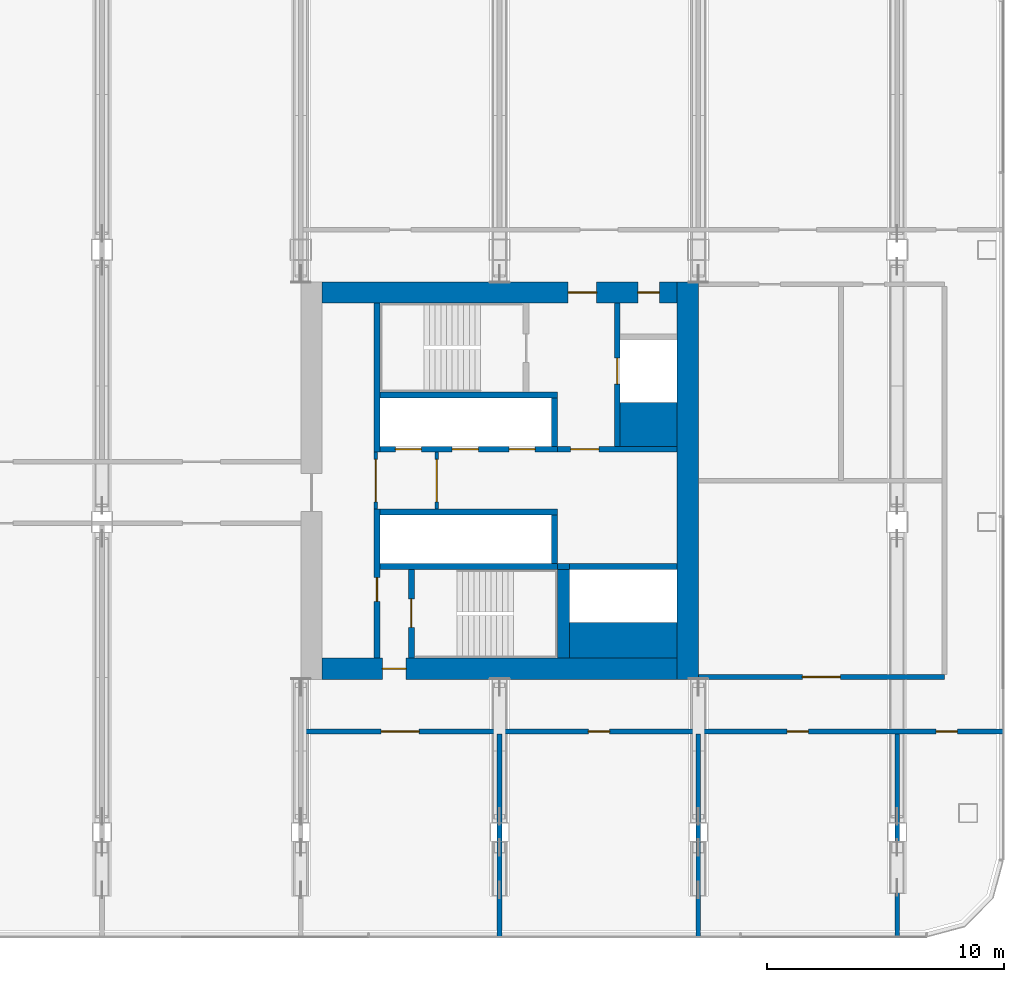
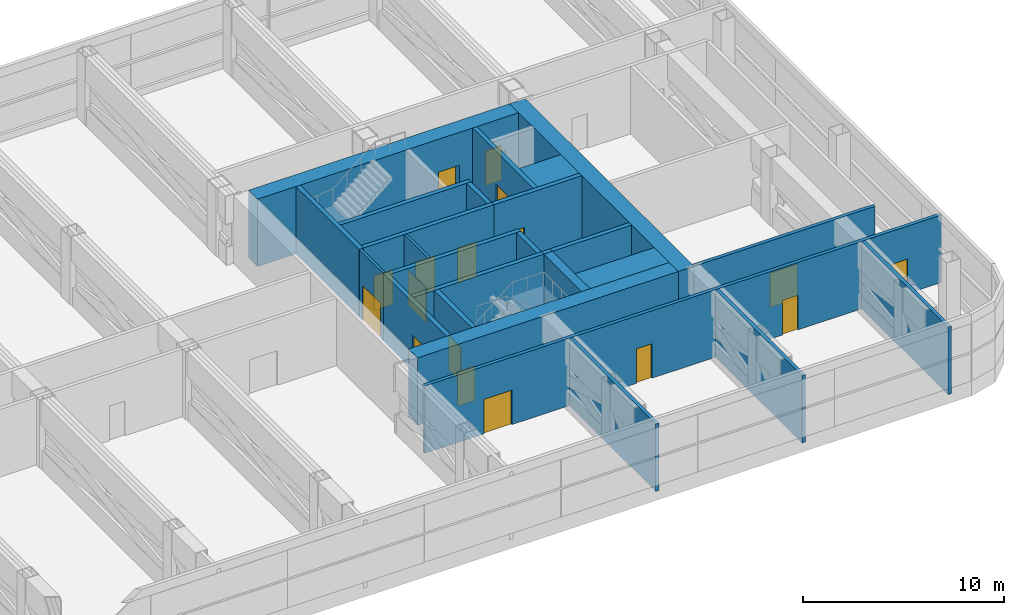
# One storey, part 20 of 31: 26 walls, 17 doors, 17 openings.
"""IFC4 building model written with IfcOpenShell, lengths in metres."""

from ifc_helpers import new_model, si_unit, direction, frame, frame_2d, origin, place, context, subcontext, project, spatial, rectangle, extrude, material, layer, layer_set, type_object, element, fill, save


model = new_model("IFC4")

# Units and contexts
model_context = context("Model", 3, precision=1e-05, world=origin(), true_north=direction((0.0, 1.0)))
body_context = subcontext(model_context, "Body", "Model", "MODEL_VIEW")
ifc_project = project(units=[si_unit("LENGTHUNIT", "METRE"), si_unit("AREAUNIT", "SQUARE_METRE"), si_unit("VOLUMEUNIT", "CUBIC_METRE"), si_unit("PLANEANGLEUNIT", "RADIAN"), si_unit("MASSUNIT", "GRAM", prefix="KILO")], contexts=[model_context])

# Site, building, storey
site_placement = place(None, origin())
site = spatial("IfcSite", under=ifc_project, at=site_placement, CompositionType="ELEMENT")
building_placement = place(site_placement, origin())
building = spatial("IfcBuilding", under=site, at=building_placement, Name="Hakoniwa Tower and Hamabe Station Hall", CompositionType="ELEMENT")
storey_placement = place(building_placement, frame((0.0, 0.0, 120.199951171875)))
storey = spatial("IfcBuildingStorey", under=building, at=storey_placement, Name="L34", CompositionType="ELEMENT", Elevation=120.199951171875)

# Wall, opening, door
ifc_material_1 = material(Name="Gypsum board partition")
ifc_layer_1 = layer(ifc_material_1, 0.14990234375)
ifc_layer_set_1 = layer_set([ifc_layer_1], Name="CORE PARTITION 150 EI 60")
wall_type_1 = type_object("IfcWallType", Name="CORE PARTITION 150 EI 60", PredefinedType="PARTITIONING", material=ifc_layer_set_1)
wall_1_placement = place(storey_placement, frame((19.97509765625, -1.199951171875, 0.0), z_axis=(0.0, 0.0, 1.0), x_axis=(0.0, 1.0, 0.0)))
wall_1 = element("IfcWall", 1, at=wall_1_placement, inside=storey, type_object=wall_type_1, Name="Core partition PL0 east", PredefinedType="PARTITIONING", context=body_context, shape_type="SweptSolid", body=[
    extrude(rectangle(XDim=2.39990234375, YDim=0.14990234375, at=frame_2d((1.199951171875, 0.0))), origin(), (0.0, 0.0, 1.0), 4.10009765625),
])
opening_1_placement = place(wall_1_placement, frame((0.300048828125, 0.0, 0.0)))
opening_1 = element("IfcOpeningElement", 2, at=opening_1_placement, cuts=wall_1, Name="Opening CD-E-LP0-18", PredefinedType="OPENING", context=body_context, shape_type="SweptSolid", body=[
    extrude(rectangle(XDim=1.800048828125, YDim=2.10009765625, at=frame_2d((0.89990234375, 1.050048828125))), frame((0.0, 0.0849609375, 0.0), z_axis=(0.0, -1.0, 0.0), x_axis=(1.0, 0.0, 0.0)), (0.0, 0.0, 1.0), 0.169921875),
])
ifc_material_2 = material(Name="Steel fire door", Category="steel")
door_type_1 = type_object("IfcDoorType", Name="CORE DOOR 1800 FD60", OperationType="DOUBLE_DOOR_SINGLE_SWING", PredefinedType="DOOR", material=ifc_material_2)
door_1_placement = place(opening_1_placement, origin())
door_1 = element("IfcDoor", 3, at=door_1_placement, inside=storey, type_object=door_type_1, Name="Lift lobby partition door", OperationType="DOUBLE_DOOR_SINGLE_SWING", OverallHeight=2.10009765625, OverallWidth=1.800048828125, PredefinedType="DOOR", context=body_context, shape_type="SweptSolid", body=[
    extrude(rectangle(XDim=1.800048828125, YDim=2.10009765625, at=frame_2d((0.89990234375, 1.050048828125))), frame((0.0, 0.02490234375, 0.0), z_axis=(0.0, -1.0, 0.0), x_axis=(1.0, 0.0, 0.0)), (0.0, 0.0, 1.0), 0.050048828125),
])
fill(opening_1, door_1)

wall_2_placement = place(storey_placement, frame((22.550048828125, -1.199951171875, 0.0), z_axis=(0.0, 0.0, 1.0), x_axis=(0.0, 1.0, 0.0)))
wall_2 = element("IfcWall", 4, at=wall_2_placement, inside=storey, type_object=wall_type_1, Name="Core partition PL1 east", PredefinedType="PARTITIONING", context=body_context, shape_type="SweptSolid", body=[
    extrude(rectangle(XDim=2.39990234375, YDim=0.14990234375, at=frame_2d((1.199951171875, 0.0))), origin(), (0.0, 0.0, 1.0), 4.10009765625),
])
opening_2_placement = place(wall_2_placement, frame((0.300048828125, 0.0, 0.0)))
opening_2 = element("IfcOpeningElement", 5, at=opening_2_placement, cuts=wall_2, Name="Opening CD-E-LP1-18", PredefinedType="OPENING", context=body_context, shape_type="SweptSolid", body=[
    extrude(rectangle(XDim=1.800048828125, YDim=2.10009765625, at=frame_2d((0.89990234375, 1.050048828125))), frame((0.0, 0.0849609375, 0.0), z_axis=(0.0, -1.0, 0.0), x_axis=(1.0, 0.0, 0.0)), (0.0, 0.0, 1.0), 0.169921875),
])
door_2_placement = place(opening_2_placement, origin())
door_2 = element("IfcDoor", 6, at=door_2_placement, inside=storey, type_object=door_type_1, Name="Lift lobby partition door", OperationType="DOUBLE_DOOR_SINGLE_SWING", OverallHeight=2.10009765625, OverallWidth=1.800048828125, PredefinedType="DOOR", context=body_context, shape_type="SweptSolid", body=[
    extrude(rectangle(XDim=1.800048828125, YDim=2.10009765625, at=frame_2d((0.89990234375, 1.050048828125))), frame((0.0, 0.02490234375, 0.0), z_axis=(0.0, -1.0, 0.0), x_axis=(1.0, 0.0, 0.0)), (0.0, 0.0, 1.0), 0.050048828125),
])
fill(opening_2, door_2)

# Wall
ifc_material_3 = material(Name="Concrete C72", Category="concrete")
ifc_layer_2 = layer(ifc_material_3, 0.89990234375)
ifc_layer_set_2 = layer_set([ifc_layer_2], Name="CORE WALL 900 C72")
wall_type_2 = type_object("IfcWallType", Name="CORE WALL 900 C72", PredefinedType="SHEAR", material=ifc_layer_set_2)
wall_3_placement = place(storey_placement, frame((33.14990234375, -8.39990234375, 0.0), z_axis=(0.0, 0.0, 1.0), x_axis=(0.0, 1.0, 0.0)))
element("IfcWall", 7, at=wall_3_placement, inside=storey, type_object=wall_type_2, Name="Core wall OUTER east", PredefinedType="SHEAR", context=body_context, shape_type="SweptSolid", body=[
    extrude(rectangle(XDim=16.7998046875, YDim=0.89990234375, at=frame_2d((8.39990234375, 0.0))), origin(), (0.0, 0.0, 1.0), 4.10009765625),
])

# Wall, openings, doors
wall_4_placement = place(storey_placement, frame((17.699951171875, 7.949951171875, 0.0), z_axis=(0.0, 0.0, 1.0), x_axis=(1.0, 0.0, 0.0)))
wall_4 = element("IfcWall", 8, at=wall_4_placement, inside=storey, type_object=wall_type_2, Name="Core wall NORTH east", PredefinedType="SHEAR", context=body_context, shape_type="SweptSolid", body=[
    extrude(rectangle(XDim=15.0, YDim=0.89990234375, at=frame_2d((7.5, 0.0))), origin(), (0.0, 0.0, 1.0), 4.10009765625),
])
opening_3_placement = place(wall_4_placement, frame((10.39990234375, 0.0, 0.0)))
opening_3 = element("IfcOpeningElement", 9, at=opening_3_placement, cuts=wall_4, Name="Opening CD-E-FN1-12", PredefinedType="OPENING", context=body_context, shape_type="SweptSolid", body=[
    extrude(rectangle(XDim=1.199951171875, YDim=2.10009765625, at=frame_2d((0.60009765625, 1.050048828125))), frame((0.0, 0.4599609375, 0.0), z_axis=(0.0, -1.0, 0.0), x_axis=(1.0, 0.0, 0.0)), (0.0, 0.0, 1.0), 0.919921875),
])
opening_4_placement = place(wall_4_placement, frame((13.35009765625, 0.0, 0.0)))
opening_4 = element("IfcOpeningElement", 10, at=opening_4_placement, cuts=wall_4, Name="Opening CD-E-FN2-9", PredefinedType="OPENING", context=body_context, shape_type="SweptSolid", body=[
    extrude(rectangle(XDim=0.89990234375, YDim=2.10009765625, at=frame_2d((0.449951171875, 1.050048828125))), frame((0.0, 0.4599609375, 0.0), z_axis=(0.0, -1.0, 0.0), x_axis=(1.0, 0.0, 0.0)), (0.0, 0.0, 1.0), 0.919921875),
])
ifc_material_4 = material(Name="Steel fire door", Category="steel")
door_type_2 = type_object("IfcDoorType", Name="CORE DOOR 1200 FD60", OperationType="DOUBLE_DOOR_SINGLE_SWING", PredefinedType="DOOR", material=ifc_material_4)
door_3_placement = place(opening_3_placement, origin())
door_3 = element("IfcDoor", 11, at=door_3_placement, inside=storey, type_object=door_type_2, Name="Stair vestibule door to the fire-fighting lobby", OperationType="DOUBLE_DOOR_SINGLE_SWING", OverallHeight=2.10009765625, OverallWidth=1.199951171875, PredefinedType="DOOR", context=body_context, shape_type="SweptSolid", body=[
    extrude(rectangle(XDim=1.199951171875, YDim=2.10009765625, at=frame_2d((0.60009765625, 1.050048828125))), frame((0.0, 0.02490234375, 0.0), z_axis=(0.0, -1.0, 0.0), x_axis=(1.0, 0.0, 0.0)), (0.0, 0.0, 1.0), 0.050048828125),
])
fill(opening_3, door_3)
ifc_material_5 = material(Name="Steel fire door", Category="steel")
door_type_3 = type_object("IfcDoorType", Name="CORE DOOR 900 FD30", OperationType="NOTDEFINED", PredefinedType="DOOR", material=ifc_material_5)
door_4_placement = place(opening_4_placement, origin())
door_4 = element("IfcDoor", 12, at=door_4_placement, inside=storey, type_object=door_type_3, Name="Riser access door", OperationType="SINGLE_SWING_LEFT", OverallHeight=2.10009765625, OverallWidth=0.89990234375, PredefinedType="DOOR", context=body_context, shape_type="SweptSolid", body=[
    extrude(rectangle(XDim=0.89990234375, YDim=2.10009765625, at=frame_2d((0.449951171875, 1.050048828125))), frame((0.0, 0.02490234375, 0.0), z_axis=(0.0, -1.0, 0.0), x_axis=(1.0, 0.0, 0.0)), (0.0, 0.0, 1.0), 0.050048828125),
])
fill(opening_4, door_4)

# Wall, opening, door
wall_5_placement = place(storey_placement, frame((17.699951171875, -7.949951171875, 0.0), z_axis=(0.0, 0.0, 1.0), x_axis=(1.0, 0.0, 0.0)))
wall_5 = element("IfcWall", 13, at=wall_5_placement, inside=storey, type_object=wall_type_2, Name="Core wall SOUTH east", PredefinedType="SHEAR", context=body_context, shape_type="SweptSolid", body=[
    extrude(rectangle(XDim=15.0, YDim=0.89990234375, at=frame_2d((7.5, 0.0))), origin(), (0.0, 0.0, 1.0), 4.10009765625),
])
opening_5_placement = place(wall_5_placement, frame((2.550048828125, 0.0, 0.0)))
opening_5 = element("IfcOpeningElement", 14, at=opening_5_placement, cuts=wall_5, Name="Opening CD-E-FS3-10", PredefinedType="OPENING", context=body_context, shape_type="SweptSolid", body=[
    extrude(rectangle(XDim=1.0, YDim=2.10009765625, at=frame_2d((0.5, 1.050048828125))), frame((0.0, 0.4599609375, 0.0), z_axis=(0.0, -1.0, 0.0), x_axis=(1.0, 0.0, 0.0)), (0.0, 0.0, 1.0), 0.919921875),
])
ifc_material_6 = material(Name="Steel fire door", Category="steel")
door_type_4 = type_object("IfcDoorType", Name="CORE DOOR 1000 FD60", OperationType="NOTDEFINED", PredefinedType="DOOR", material=ifc_material_6)
door_5_placement = place(opening_5_placement, origin())
door_5 = element("IfcDoor", 15, at=door_5_placement, inside=storey, type_object=door_type_4, Name="Stair vestibule door", OperationType="SINGLE_SWING_LEFT", OverallHeight=2.10009765625, OverallWidth=1.0, PredefinedType="DOOR", context=body_context, shape_type="SweptSolid", body=[
    extrude(rectangle(XDim=1.0, YDim=2.10009765625, at=frame_2d((0.5, 1.050048828125))), frame((0.0, 0.02490234375, 0.0), z_axis=(0.0, -1.0, 0.0), x_axis=(1.0, 0.0, 0.0)), (0.0, 0.0, 1.0), 0.050048828125),
])
fill(opening_5, door_5)

# Walls
ifc_material_7 = material(Name="Concrete C72", Category="concrete")
ifc_layer_3 = layer(ifc_material_7, 1.5)
ifc_layer_set_3 = layer_set([ifc_layer_3], Name="CORE WEB WALL 1500 C72")
wall_type_3 = type_object("IfcWallType", Name="CORE WEB WALL 1500 C72", PredefinedType="SHEAR", material=ifc_layer_set_3)
wall_6_placement = place(storey_placement, frame((28.14990234375, -6.75, 0.0), z_axis=(0.0, 0.0, 1.0), x_axis=(1.0, 0.0, 0.0)))
element("IfcWall", 16, at=wall_6_placement, inside=storey, type_object=wall_type_3, Name="Core wall SER east", PredefinedType="SHEAR", context=body_context, shape_type="SweptSolid", body=[
    extrude(rectangle(XDim=4.550048828125, YDim=1.5, at=frame_2d((2.27490234375, 0.0))), origin(), (0.0, 0.0, 1.0), 4.10009765625),
])
ifc_material_8 = material(Name="Concrete C72", Category="concrete")
ifc_layer_4 = layer(ifc_material_8, 1.85009765625)
ifc_layer_set_4 = layer_set([ifc_layer_4], Name="CORE WEB WALL 1850 C72")
wall_type_4 = type_object("IfcWallType", Name="CORE WEB WALL 1850 C72", PredefinedType="SHEAR", material=ifc_layer_set_4)
wall_7_placement = place(storey_placement, frame((30.300048828125, 2.375, 0.0), z_axis=(0.0, 0.0, 1.0), x_axis=(1.0, 0.0, 0.0)))
element("IfcWall", 17, at=wall_7_placement, inside=storey, type_object=wall_type_4, Name="Core wall CA east", PredefinedType="SHEAR", context=body_context, shape_type="SweptSolid", body=[
    extrude(rectangle(XDim=2.39990234375, YDim=1.85009765625, at=frame_2d((1.199951171875, 0.0))), origin(), (0.0, 0.0, 1.0), 4.10009765625),
])
ifc_material_9 = material(Name="Concrete C72", Category="concrete")
ifc_layer_5 = layer(ifc_material_9, 0.25)
ifc_layer_set_5 = layer_set([ifc_layer_5], Name="CORE WEB WALL 250 C72")
wall_type_5 = type_object("IfcWallType", Name="CORE WEB WALL 250 C72", PredefinedType="SHEAR", material=ifc_layer_set_5)
wall_8_placement = place(storey_placement, frame((20.02490234375, 1.199951171875, 0.0), z_axis=(0.0, 0.0, 1.0), x_axis=(0.0, 1.0, 0.0)))
element("IfcWall", 18, at=wall_8_placement, inside=storey, type_object=wall_type_5, Name="Core wall W1N east", PredefinedType="SHEAR", context=body_context, shape_type="SweptSolid", body=[
    extrude(rectangle(XDim=6.300048828125, YDim=0.25, at=frame_2d((3.14990234375, 0.0))), origin(), (0.0, 0.0, 1.0), 4.10009765625),
])

# Wall, opening, door
wall_9_placement = place(storey_placement, frame((20.02490234375, -7.5, 0.0), z_axis=(0.0, 0.0, 1.0), x_axis=(0.0, 1.0, 0.0)))
wall_9 = element("IfcWall", 19, at=wall_9_placement, inside=storey, type_object=wall_type_5, Name="Core wall W1S east", PredefinedType="SHEAR", context=body_context, shape_type="SweptSolid", body=[
    extrude(rectangle(XDim=6.300048828125, YDim=0.25, at=frame_2d((3.14990234375, 0.0))), origin(), (0.0, 0.0, 1.0), 4.10009765625),
])
opening_6_placement = place(wall_9_placement, frame((2.39990234375, 0.0, 0.0)))
opening_6 = element("IfcOpeningElement", 20, at=opening_6_placement, cuts=wall_9, Name="Opening CD-E-VS-10", PredefinedType="OPENING", context=body_context, shape_type="SweptSolid", body=[
    extrude(rectangle(XDim=1.0, YDim=2.10009765625, at=frame_2d((0.5, 1.050048828125))), frame((0.0, 0.135009765625, 0.0), z_axis=(0.0, -1.0, 0.0), x_axis=(1.0, 0.0, 0.0)), (0.0, 0.0, 1.0), 0.27001953125),
])
door_6_placement = place(opening_6_placement, origin())
door_6 = element("IfcDoor", 21, at=door_6_placement, inside=storey, type_object=door_type_4, Name="Stair vestibule door", OperationType="SINGLE_SWING_RIGHT", OverallHeight=2.10009765625, OverallWidth=1.0, PredefinedType="DOOR", context=body_context, shape_type="SweptSolid", body=[
    extrude(rectangle(XDim=1.0, YDim=2.10009765625, at=frame_2d((0.5, 1.050048828125))), frame((0.0, 0.02490234375, 0.0), z_axis=(0.0, -1.0, 0.0), x_axis=(1.0, 0.0, 0.0)), (0.0, 0.0, 1.0), 0.050048828125),
])
fill(opening_6, door_6)

# Wall, openings, doors
wall_10_placement = place(storey_placement, frame((20.14990234375, 1.324951171875, 0.0), z_axis=(0.0, 0.0, 1.0), x_axis=(1.0, 0.0, 0.0)))
wall_10 = element("IfcWall", 22, at=wall_10_placement, inside=storey, type_object=wall_type_5, Name="Core wall NF east", PredefinedType="SHEAR", context=body_context, shape_type="SweptSolid", body=[
    extrude(rectangle(XDim=7.5, YDim=0.25, at=frame_2d((3.75, 0.0))), origin(), (0.0, 0.0, 1.0), 4.10009765625),
])
opening_7_placement = place(wall_10_placement, frame((0.64990234375, 0.0, 0.0)))
opening_7 = element("IfcOpeningElement", 23, at=opening_7_placement, cuts=wall_10, Name="Opening LD-LR4", PredefinedType="OPENING", context=body_context, shape_type="SweptSolid", body=[
    extrude(rectangle(XDim=1.10009765625, YDim=2.10009765625, at=frame_2d((0.550048828125, 1.050048828125))), frame((0.0, 0.135009765625, 0.0), z_axis=(0.0, -1.0, 0.0), x_axis=(1.0, 0.0, 0.0)), (0.0, 0.0, 1.0), 0.27001953125),
])
opening_8_placement = place(wall_10_placement, frame((3.050048828125, 0.0, 0.0)))
opening_8 = element("IfcOpeningElement", 24, at=opening_8_placement, cuts=wall_10, Name="Opening LD-LR5", PredefinedType="OPENING", context=body_context, shape_type="SweptSolid", body=[
    extrude(rectangle(XDim=1.10009765625, YDim=2.10009765625, at=frame_2d((0.550048828125, 1.050048828125))), frame((0.0, 0.135009765625, 0.0), z_axis=(0.0, -1.0, 0.0), x_axis=(1.0, 0.0, 0.0)), (0.0, 0.0, 1.0), 0.27001953125),
])
opening_9_placement = place(wall_10_placement, frame((5.449951171875, 0.0, 0.0)))
opening_9 = element("IfcOpeningElement", 25, at=opening_9_placement, cuts=wall_10, Name="Opening LD-LR6", PredefinedType="OPENING", context=body_context, shape_type="SweptSolid", body=[
    extrude(rectangle(XDim=1.10009765625, YDim=2.10009765625, at=frame_2d((0.550048828125, 1.050048828125))), frame((0.0, 0.135009765625, 0.0), z_axis=(0.0, -1.0, 0.0), x_axis=(1.0, 0.0, 0.0)), (0.0, 0.0, 1.0), 0.27001953125),
])
ifc_material_10 = material(Name="Stainless steel SUS304", Category="steel")
door_type_5 = type_object("IfcDoorType", Name="LIFT LANDING DOOR 1100 FD60", OperationType="DOUBLE_DOOR_SLIDING", PredefinedType="DOOR", material=ifc_material_10)
door_7_placement = place(opening_7_placement, origin())
door_7 = element("IfcDoor", 26, at=door_7_placement, inside=storey, type_object=door_type_5, Name="Lift landing door LR4 L34", OperationType="DOUBLE_DOOR_SLIDING", OverallHeight=2.10009765625, OverallWidth=1.10009765625, PredefinedType="DOOR", context=body_context, shape_type="SweptSolid", body=[
    extrude(rectangle(XDim=1.10009765625, YDim=2.10009765625, at=frame_2d((0.550048828125, 1.050048828125))), frame((0.0, 0.02490234375, 0.0), z_axis=(0.0, -1.0, 0.0), x_axis=(1.0, 0.0, 0.0)), (0.0, 0.0, 1.0), 0.050048828125),
])
fill(opening_7, door_7)
door_8_placement = place(opening_8_placement, origin())
door_8 = element("IfcDoor", 27, at=door_8_placement, inside=storey, type_object=door_type_5, Name="Lift landing door LR5 L34", OperationType="DOUBLE_DOOR_SLIDING", OverallHeight=2.10009765625, OverallWidth=1.10009765625, PredefinedType="DOOR", context=body_context, shape_type="SweptSolid", body=[
    extrude(rectangle(XDim=1.10009765625, YDim=2.10009765625, at=frame_2d((0.550048828125, 1.050048828125))), frame((0.0, 0.02490234375, 0.0), z_axis=(0.0, -1.0, 0.0), x_axis=(1.0, 0.0, 0.0)), (0.0, 0.0, 1.0), 0.050048828125),
])
fill(opening_8, door_8)
door_9_placement = place(opening_9_placement, origin())
door_9 = element("IfcDoor", 28, at=door_9_placement, inside=storey, type_object=door_type_5, Name="Lift landing door LR6 L34", OperationType="DOUBLE_DOOR_SLIDING", OverallHeight=2.10009765625, OverallWidth=1.10009765625, PredefinedType="DOOR", context=body_context, shape_type="SweptSolid", body=[
    extrude(rectangle(XDim=1.10009765625, YDim=2.10009765625, at=frame_2d((0.550048828125, 1.050048828125))), frame((0.0, 0.02490234375, 0.0), z_axis=(0.0, -1.0, 0.0), x_axis=(1.0, 0.0, 0.0)), (0.0, 0.0, 1.0), 0.050048828125),
])
fill(opening_9, door_9)

# Walls
wall_11_placement = place(storey_placement, frame((27.52490234375, 1.449951171875, 0.0), z_axis=(0.0, 0.0, 1.0), x_axis=(0.0, 1.0, 0.0)))
element("IfcWall", 29, at=wall_11_placement, inside=storey, type_object=wall_type_5, Name="Core wall NE east", PredefinedType="SHEAR", context=body_context, shape_type="SweptSolid", body=[
    extrude(rectangle(XDim=2.050048828125, YDim=0.25, at=frame_2d((1.02490234375, 0.0))), origin(), (0.0, 0.0, 1.0), 4.10009765625),
])
wall_12_placement = place(storey_placement, frame((20.14990234375, 3.625, 0.0), z_axis=(0.0, 0.0, 1.0), x_axis=(1.0, 0.0, 0.0)))
element("IfcWall", 30, at=wall_12_placement, inside=storey, type_object=wall_type_5, Name="Core wall NR east", PredefinedType="SHEAR", context=body_context, shape_type="SweptSolid", body=[
    extrude(rectangle(XDim=7.5, YDim=0.25, at=frame_2d((3.75, 0.0))), origin(), (0.0, 0.0, 1.0), 4.10009765625),
])

# Wall, opening, door
wall_13_placement = place(storey_placement, frame((27.64990234375, 1.324951171875, 0.0), z_axis=(0.0, 0.0, 1.0), x_axis=(1.0, 0.0, 0.0)))
wall_13 = element("IfcWall", 31, at=wall_13_placement, inside=storey, type_object=wall_type_5, Name="Core wall ELN east", PredefinedType="SHEAR", context=body_context, shape_type="SweptSolid", body=[
    extrude(rectangle(XDim=5.050048828125, YDim=0.25, at=frame_2d((2.52490234375, 0.0))), origin(), (0.0, 0.0, 1.0), 4.10009765625),
])
opening_10_placement = place(wall_13_placement, frame((0.550048828125, 0.0, 0.0)))
opening_10 = element("IfcOpeningElement", 32, at=opening_10_placement, cuts=wall_13, Name="Opening CD-E-FL-12", PredefinedType="OPENING", context=body_context, shape_type="SweptSolid", body=[
    extrude(rectangle(XDim=1.199951171875, YDim=2.10009765625, at=frame_2d((0.60009765625, 1.050048828125))), frame((0.0, 0.135009765625, 0.0), z_axis=(0.0, -1.0, 0.0), x_axis=(1.0, 0.0, 0.0)), (0.0, 0.0, 1.0), 0.27001953125),
])
door_10_placement = place(opening_10_placement, origin())
door_10 = element("IfcDoor", 33, at=door_10_placement, inside=storey, type_object=door_type_2, Name="Stair vestibule door to the fire-fighting lobby", OperationType="DOUBLE_DOOR_SINGLE_SWING", OverallHeight=2.10009765625, OverallWidth=1.199951171875, PredefinedType="DOOR", context=body_context, shape_type="SweptSolid", body=[
    extrude(rectangle(XDim=1.199951171875, YDim=2.10009765625, at=frame_2d((0.60009765625, 1.050048828125))), frame((0.0, 0.02490234375, 0.0), z_axis=(0.0, -1.0, 0.0), x_axis=(1.0, 0.0, 0.0)), (0.0, 0.0, 1.0), 0.050048828125),
])
fill(opening_10, door_10)

wall_14_placement = place(storey_placement, frame((30.175048828125, 1.449951171875, 0.0), z_axis=(0.0, 0.0, 1.0), x_axis=(0.0, 1.0, 0.0)))
wall_14 = element("IfcWall", 34, at=wall_14_placement, inside=storey, type_object=wall_type_5, Name="Core wall FFF east", PredefinedType="SHEAR", context=body_context, shape_type="SweptSolid", body=[
    extrude(rectangle(XDim=6.050048828125, YDim=0.25, at=frame_2d((3.02490234375, 0.0))), origin(), (0.0, 0.0, 1.0), 4.10009765625),
])
opening_11_placement = place(wall_14_placement, frame((2.625, 0.0, 0.0)))
opening_11 = element("IfcOpeningElement", 35, at=opening_11_placement, cuts=wall_14, Name="Opening LD-FF2", PredefinedType="OPENING", context=body_context, shape_type="SweptSolid", body=[
    extrude(rectangle(XDim=1.10009765625, YDim=2.10009765625, at=frame_2d((0.550048828125, 1.050048828125))), frame((0.0, 0.135009765625, 0.0), z_axis=(0.0, -1.0, 0.0), x_axis=(1.0, 0.0, 0.0)), (0.0, 0.0, 1.0), 0.27001953125),
])
door_11_placement = place(opening_11_placement, origin())
door_11 = element("IfcDoor", 36, at=door_11_placement, inside=storey, type_object=door_type_5, Name="Lift landing door FF2 L34", OperationType="DOUBLE_DOOR_SLIDING", OverallHeight=2.10009765625, OverallWidth=1.10009765625, PredefinedType="DOOR", context=body_context, shape_type="SweptSolid", body=[
    extrude(rectangle(XDim=1.10009765625, YDim=2.10009765625, at=frame_2d((0.550048828125, 1.050048828125))), frame((0.0, 0.02490234375, 0.0), z_axis=(0.0, -1.0, 0.0), x_axis=(1.0, 0.0, 0.0)), (0.0, 0.0, 1.0), 0.050048828125),
])
fill(opening_11, door_11)

# Walls
wall_15_placement = place(storey_placement, frame((20.14990234375, -1.324951171875, 0.0), z_axis=(0.0, 0.0, 1.0), x_axis=(1.0, 0.0, 0.0)))
element("IfcWall", 37, at=wall_15_placement, inside=storey, type_object=wall_type_5, Name="Core wall SF east", PredefinedType="SHEAR", context=body_context, shape_type="SweptSolid", body=[
    extrude(rectangle(XDim=7.5, YDim=0.25, at=frame_2d((3.75, 0.0))), origin(), (0.0, 0.0, 1.0), 4.10009765625),
])
wall_16_placement = place(storey_placement, frame((27.52490234375, -3.5, 0.0), z_axis=(0.0, 0.0, 1.0), x_axis=(0.0, 1.0, 0.0)))
element("IfcWall", 38, at=wall_16_placement, inside=storey, type_object=wall_type_5, Name="Core wall SE east", PredefinedType="SHEAR", context=body_context, shape_type="SweptSolid", body=[
    extrude(rectangle(XDim=2.050048828125, YDim=0.25, at=frame_2d((1.02490234375, 0.0))), origin(), (0.0, 0.0, 1.0), 4.10009765625),
])
wall_17_placement = place(storey_placement, frame((20.14990234375, -3.625, 0.0), z_axis=(0.0, 0.0, 1.0), x_axis=(1.0, 0.0, 0.0)))
element("IfcWall", 39, at=wall_17_placement, inside=storey, type_object=wall_type_5, Name="Core wall SR east", PredefinedType="SHEAR", context=body_context, shape_type="SweptSolid", body=[
    extrude(rectangle(XDim=7.5, YDim=0.25, at=frame_2d((3.75, 0.0))), origin(), (0.0, 0.0, 1.0), 4.10009765625),
])

# Wall, opening, door
wall_18_placement = place(storey_placement, frame((21.47509765625, -7.5, 0.0), z_axis=(0.0, 0.0, 1.0), x_axis=(0.0, 1.0, 0.0)))
wall_18 = element("IfcWall", 40, at=wall_18_placement, inside=storey, type_object=wall_type_5, Name="Core wall VE east", PredefinedType="SHEAR", context=body_context, shape_type="SweptSolid", body=[
    extrude(rectangle(XDim=3.75, YDim=0.25, at=frame_2d((1.875, 0.0))), origin(), (0.0, 0.0, 1.0), 4.10009765625),
])
opening_12_placement = place(wall_18_placement, frame((1.300048828125, 0.0, 0.0)))
opening_12 = element("IfcOpeningElement", 41, at=opening_12_placement, cuts=wall_18, Name="Opening CD-E-SS-12", PredefinedType="OPENING", context=body_context, shape_type="SweptSolid", body=[
    extrude(rectangle(XDim=1.199951171875, YDim=2.10009765625, at=frame_2d((0.60009765625, 1.050048828125))), frame((0.0, 0.135009765625, 0.0), z_axis=(0.0, -1.0, 0.0), x_axis=(1.0, 0.0, 0.0)), (0.0, 0.0, 1.0), 0.27001953125),
])
door_12_placement = place(opening_12_placement, origin())
door_12 = element("IfcDoor", 42, at=door_12_placement, inside=storey, type_object=door_type_2, Name="Escape stair door", OperationType="DOUBLE_DOOR_SINGLE_SWING", OverallHeight=2.10009765625, OverallWidth=1.199951171875, PredefinedType="DOOR", context=body_context, shape_type="SweptSolid", body=[
    extrude(rectangle(XDim=1.199951171875, YDim=2.10009765625, at=frame_2d((0.60009765625, 1.050048828125))), frame((0.0, 0.02490234375, 0.0), z_axis=(0.0, -1.0, 0.0), x_axis=(1.0, 0.0, 0.0)), (0.0, 0.0, 1.0), 0.050048828125),
])
fill(opening_12, door_12)

# Walls
wall_19_placement = place(storey_placement, frame((28.14990234375, -3.625, 0.0), z_axis=(0.0, 0.0, 1.0), x_axis=(1.0, 0.0, 0.0)))
element("IfcWall", 43, at=wall_19_placement, inside=storey, type_object=wall_type_5, Name="Core wall SEF east", PredefinedType="SHEAR", context=body_context, shape_type="SweptSolid", body=[
    extrude(rectangle(XDim=4.550048828125, YDim=0.25, at=frame_2d((2.27490234375, 0.0))), origin(), (0.0, 0.0, 1.0), 4.10009765625),
])
wall_20_placement = place(storey_placement, frame((27.64990234375, -3.625, 0.0), z_axis=(0.0, 0.0, 1.0), x_axis=(1.0, 0.0, 0.0)))
element("IfcWall", 44, at=wall_20_placement, inside=storey, type_object=wall_type_5, Name="Core wall SRK east", PredefinedType="SHEAR", context=body_context, shape_type="SweptSolid", body=[
    extrude(rectangle(XDim=0.5, YDim=0.25, at=frame_2d((0.25, 0.0))), origin(), (0.0, 0.0, 1.0), 4.10009765625),
])
ifc_material_11 = material(Name="Concrete C72", Category="concrete")
ifc_layer_6 = layer(ifc_material_11, 0.5)
ifc_layer_set_6 = layer_set([ifc_layer_6], Name="CORE WEB WALL 500 C72")
wall_type_6 = type_object("IfcWallType", Name="CORE WEB WALL 500 C72", PredefinedType="SHEAR", material=ifc_layer_set_6)
wall_21_placement = place(storey_placement, frame((27.89990234375, -7.5, 0.0), z_axis=(0.0, 0.0, 1.0), x_axis=(0.0, 1.0, 0.0)))
element("IfcWall", 45, at=wall_21_placement, inside=storey, type_object=wall_type_6, Name="Core wall SSE east", PredefinedType="SHEAR", context=body_context, shape_type="SweptSolid", body=[
    extrude(rectangle(XDim=3.75, YDim=0.5, at=frame_2d((1.875, 0.0))), origin(), (0.0, 0.0, 1.0), 4.10009765625),
])

# Wall, openings, doors
ifc_material_12 = material(Name="Fire-rated gypsum board partition", Category="gypsum")
ifc_layer_7 = layer(ifc_material_12, 0.199951171875)
ifc_layer_set_7 = layer_set([ifc_layer_7], Name="Corridor Wall 200")
wall_type_7 = type_object("IfcWallType", Name="Corridor Wall 200", PredefinedType="PARTITIONING", material=ifc_layer_set_7)
wall_22_placement = place(storey_placement, frame((16.800048828125, -10.60009765625, 0.0), z_axis=(0.0, 0.0, 1.0), x_axis=(1.0, 0.0, 0.0)))
wall_22 = element("IfcWall", 46, at=wall_22_placement, inside=storey, type_object=wall_type_7, Name="GW-L34-002", PredefinedType="PARTITIONING", context=body_context, shape_type="SweptSolid", body=[
    extrude(rectangle(XDim=29.699951171875, YDim=0.199951171875, at=frame_2d((14.85009765625, 0.0))), origin(), (0.0, 0.0, 1.0), 4.10009765625),
])
opening_13_placement = place(wall_22_placement, frame((3.39990234375, 0.0, 0.0)))
opening_13 = element("IfcOpeningElement", 47, at=opening_13_placement, cuts=wall_22, Name="Opening GD-SL34-05", PredefinedType="OPENING", context=body_context, shape_type="SweptSolid", body=[
    extrude(rectangle(XDim=1.60009765625, YDim=2.10009765625, at=frame_2d((0.800048828125, 1.050048828125))), frame((0.0, 0.10986328125, 0.0), z_axis=(0.0, -1.0, 0.0), x_axis=(1.0, 0.0, 0.0)), (0.0, 0.0, 1.0), 0.219970703125),
])
opening_14_placement = place(wall_22_placement, frame((12.14990234375, 0.0, 0.0)))
opening_14 = element("IfcOpeningElement", 48, at=opening_14_placement, cuts=wall_22, Name="Opening GD-SL34-06", PredefinedType="OPENING", context=body_context, shape_type="SweptSolid", body=[
    extrude(rectangle(XDim=0.89990234375, YDim=2.10009765625, at=frame_2d((0.449951171875, 1.050048828125))), frame((0.0, 0.10986328125, 0.0), z_axis=(0.0, -1.0, 0.0), x_axis=(1.0, 0.0, 0.0)), (0.0, 0.0, 1.0), 0.219970703125),
])
opening_15_placement = place(wall_22_placement, frame((20.550048828125, 0.0, 0.0)))
opening_15 = element("IfcOpeningElement", 49, at=opening_15_placement, cuts=wall_22, Name="Opening GD-SL34-07", PredefinedType="OPENING", context=body_context, shape_type="SweptSolid", body=[
    extrude(rectangle(XDim=0.89990234375, YDim=2.10009765625, at=frame_2d((0.449951171875, 1.050048828125))), frame((0.0, 0.10986328125, 0.0), z_axis=(0.0, -1.0, 0.0), x_axis=(1.0, 0.0, 0.0)), (0.0, 0.0, 1.0), 0.219970703125),
])
opening_16_placement = place(wall_22_placement, frame((26.85009765625, 0.0, 0.0)))
opening_16 = element("IfcOpeningElement", 50, at=opening_16_placement, cuts=wall_22, Name="Opening GD-SL34-08", PredefinedType="OPENING", context=body_context, shape_type="SweptSolid", body=[
    extrude(rectangle(XDim=0.89990234375, YDim=2.10009765625, at=frame_2d((0.449951171875, 1.050048828125))), frame((0.0, 0.10986328125, 0.0), z_axis=(0.0, -1.0, 0.0), x_axis=(1.0, 0.0, 0.0)), (0.0, 0.0, 1.0), 0.219970703125),
])
ifc_material_13 = material(Name="Timber door leaf", Category="wood")
door_type_6 = type_object("IfcDoorType", Name="Double Door 1600", OperationType="DOUBLE_DOOR_SINGLE_SWING", PredefinedType="DOOR", material=ifc_material_13)
door_13_placement = place(opening_13_placement, origin())
door_13 = element("IfcDoor", 51, at=door_13_placement, inside=storey, type_object=door_type_6, Name="Door GD-SL34-05", OperationType="DOUBLE_DOOR_SINGLE_SWING", OverallHeight=2.10009765625, OverallWidth=1.60009765625, PredefinedType="DOOR", context=body_context, shape_type="SweptSolid", body=[
    extrude(rectangle(XDim=1.60009765625, YDim=2.10009765625, at=frame_2d((0.800048828125, 1.050048828125))), frame((0.0, 0.02490234375, 0.0), z_axis=(0.0, -1.0, 0.0), x_axis=(1.0, 0.0, 0.0)), (0.0, 0.0, 1.0), 0.050048828125),
])
fill(opening_13, door_13)
ifc_material_14 = material(Name="Timber door leaf", Category="wood")
door_type_7 = type_object("IfcDoorType", Name="Service Door 900", OperationType="SINGLE_SWING_LEFT", PredefinedType="DOOR", material=ifc_material_14)
door_14_placement = place(opening_14_placement, origin())
door_14 = element("IfcDoor", 52, at=door_14_placement, inside=storey, type_object=door_type_7, Name="Door GD-SL34-06", OperationType="SINGLE_SWING_RIGHT", OverallHeight=2.10009765625, OverallWidth=0.89990234375, PredefinedType="DOOR", context=body_context, shape_type="SweptSolid", body=[
    extrude(rectangle(XDim=0.89990234375, YDim=2.10009765625, at=frame_2d((0.449951171875, 1.050048828125))), frame((0.0, 0.02490234375, 0.0), z_axis=(0.0, -1.0, 0.0), x_axis=(1.0, 0.0, 0.0)), (0.0, 0.0, 1.0), 0.050048828125),
])
fill(opening_14, door_14)
door_15_placement = place(opening_15_placement, origin())
door_15 = element("IfcDoor", 53, at=door_15_placement, inside=storey, type_object=door_type_7, Name="Door GD-SL34-07", OperationType="SINGLE_SWING_LEFT", OverallHeight=2.10009765625, OverallWidth=0.89990234375, PredefinedType="DOOR", context=body_context, shape_type="SweptSolid", body=[
    extrude(rectangle(XDim=0.89990234375, YDim=2.10009765625, at=frame_2d((0.449951171875, 1.050048828125))), frame((0.0, 0.02490234375, 0.0), z_axis=(0.0, -1.0, 0.0), x_axis=(1.0, 0.0, 0.0)), (0.0, 0.0, 1.0), 0.050048828125),
])
fill(opening_15, door_15)
door_16_placement = place(opening_16_placement, origin())
door_16 = element("IfcDoor", 54, at=door_16_placement, inside=storey, type_object=door_type_7, Name="Door GD-SL34-08", OperationType="SINGLE_SWING_LEFT", OverallHeight=2.10009765625, OverallWidth=0.89990234375, PredefinedType="DOOR", context=body_context, shape_type="SweptSolid", body=[
    extrude(rectangle(XDim=0.89990234375, YDim=2.10009765625, at=frame_2d((0.449951171875, 1.050048828125))), frame((0.0, 0.02490234375, 0.0), z_axis=(0.0, -1.0, 0.0), x_axis=(1.0, 0.0, 0.0)), (0.0, 0.0, 1.0), 0.050048828125),
])
fill(opening_16, door_16)

# Wall, opening, door
wall_23_placement = place(storey_placement, frame((33.60009765625, -8.300048828125, 0.0), z_axis=(0.0, 0.0, 1.0), x_axis=(1.0, 0.0, 0.0)))
wall_23 = element("IfcWall", 55, at=wall_23_placement, inside=storey, type_object=wall_type_7, Name="GW-L34-004", PredefinedType="PARTITIONING", context=body_context, shape_type="SweptSolid", body=[
    extrude(rectangle(XDim=10.39990234375, YDim=0.199951171875, at=frame_2d((5.199951171875, 0.0))), origin(), (0.0, 0.0, 1.0), 4.10009765625),
])
opening_17_placement = place(wall_23_placement, frame((4.39990234375, 0.0, 0.0)))
opening_17 = element("IfcOpeningElement", 56, at=opening_17_placement, cuts=wall_23, Name="Opening GD-SL34-10", PredefinedType="OPENING", context=body_context, shape_type="SweptSolid", body=[
    extrude(rectangle(XDim=1.60009765625, YDim=2.10009765625, at=frame_2d((0.800048828125, 1.050048828125))), frame((0.0, 0.10986328125, 0.0), z_axis=(0.0, -1.0, 0.0), x_axis=(1.0, 0.0, 0.0)), (0.0, 0.0, 1.0), 0.219970703125),
])
door_17_placement = place(opening_17_placement, origin())
door_17 = element("IfcDoor", 57, at=door_17_placement, inside=storey, type_object=door_type_6, Name="Door GD-SL34-10", OperationType="DOUBLE_DOOR_SINGLE_SWING", OverallHeight=2.10009765625, OverallWidth=1.60009765625, PredefinedType="DOOR", context=body_context, shape_type="SweptSolid", body=[
    extrude(rectangle(XDim=1.60009765625, YDim=2.10009765625, at=frame_2d((0.800048828125, 1.050048828125))), frame((0.0, 0.02490234375, 0.0), z_axis=(0.0, -1.0, 0.0), x_axis=(1.0, 0.0, 0.0)), (0.0, 0.0, 1.0), 0.050048828125),
])
fill(opening_17, door_17)

# Walls
ifc_material_15 = material(Name="Fire-rated gypsum board partition", Category="gypsum")
ifc_layer_8 = layer(ifc_material_15, 0.199951171875)
ifc_layer_set_8 = layer_set([ifc_layer_8], Name="Party Wall 200")
wall_type_8 = type_object("IfcWallType", Name="Party Wall 200", PredefinedType="PARTITIONING", material=ifc_layer_set_8)
for number, where, z_axis, x_axis, name in (
    (58, (25.199951171875, -19.300048828125, 0.0), (0.0, 0.0, 1.0), (0.0, 1.0, 0.0), "GW-L34-030"),
    (59, (33.60009765625, -19.300048828125, 0.0), (0.0, 0.0, 1.0), (0.0, 1.0, 0.0), "GW-L34-032"),
    (60, (42.0, -19.300048828125, 0.0), (0.0, 0.0, 1.0), (0.0, 1.0, 0.0), "GW-L34-035"),
):
    element("IfcWall", number, at=place(storey_placement, frame(where, z_axis=z_axis, x_axis=x_axis)), inside=storey, type_object=wall_type_8, Name=name, PredefinedType="PARTITIONING", context=body_context, shape_type="SweptSolid", body=[
        extrude(rectangle(XDim=8.60009765625, YDim=0.199951171875, at=frame_2d((4.300048828125, 0.0))), origin(), (0.0, 0.0, 1.0), 4.10009765625),
    ])

save(model, "model.ifc")
